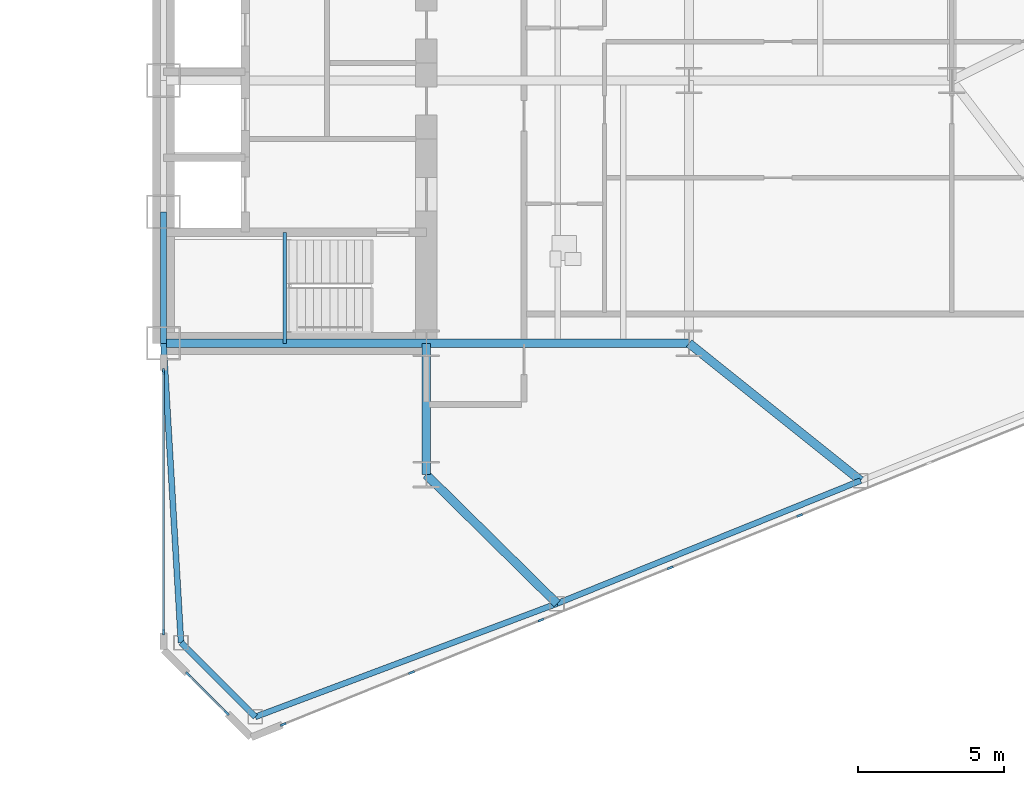
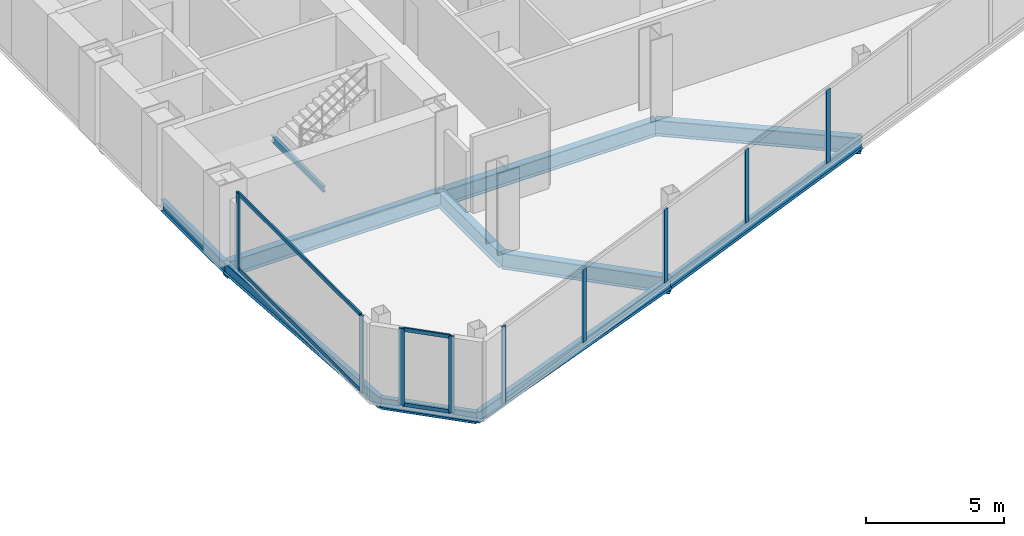
# One storey, part 9 of 25: 13 members, 11 beams, 3 elements without a shape of their own.
"""IFC4 building model written with IfcOpenShell, lengths in metres."""

import ifcopenshell
import ifcopenshell.guid

model = None  # the IFC model being written
_history = None  # IfcOwnerHistory: only IFC2X3 demands one
_inside = {}  # id of a spatial element -> (the spatial element, [elements in it])
_under = {}  # id of a project, library or spatial element -> (it, [spatial elements below it])
_declared = {}  # id of a project -> (the project, [libraries it declares])
_typed = {}  # id of a type object -> (the type object, [elements of that type])
_made_of = {}  # id of a material, layer set ... -> (it, [elements and type objects made of it])


def new_model(schema):
    """Start an empty IFC model of exactly this schema.

    Asked for "IFC4X3", IfcOpenShell would pick the latest addendum, in which some entities
    have other attributes; the version numbers below select the first issue.
    IFC2X3 requires an IfcOwnerHistory on every rooted entity: one is made here for all.
    """
    global model, _history
    if schema == "IFC4X3":
        model = ifcopenshell.file(schema_version=(4, 3, 0, 0))
    else:
        model = ifcopenshell.file(schema=schema)
    _inside.clear()
    _under.clear()
    _declared.clear()
    _typed.clear()
    _made_of.clear()
    _history = None
    if model.schema == "IFC2X3":
        org = make("IfcOrganization", Name="unknown")
        user = make(
            "IfcPersonAndOrganization",
            ThePerson=make("IfcPerson", FamilyName="unknown"),
            TheOrganization=org,
        )
        app = make(
            "IfcApplication",
            ApplicationDeveloper=org,
            Version="unknown",
            ApplicationFullName="unknown",
            ApplicationIdentifier="unknown",
        )
        _history = make(
            "IfcOwnerHistory",
            OwningUser=user,
            OwningApplication=app,
            ChangeAction="ADDED",
            CreationDate=0,
        )
    return model


def make(cls, **values):
    """One entity of the class cls with the attributes given. An attribute that is None is left unset."""
    return model.create_entity(
        cls, **{name: value for name, value in values.items() if value is not None}
    )


def rooted(cls, **values):
    """An entity with a GlobalId (a new one), such as an element, a storey or a relation."""
    return make(cls, GlobalId=ifcopenshell.guid.new(), OwnerHistory=_history, **values)


def si_unit(unit_type, name, prefix=None):
    """IfcSIUnit, for example si_unit("LENGTHUNIT", "METRE", prefix="MILLI")."""
    return make("IfcSIUnit", UnitType=unit_type, Prefix=prefix, Name=name)


def assignment(units):
    """IfcUnitAssignment: the units of a project."""
    return None if units is None else make("IfcUnitAssignment", Units=units)


def point(xyz):
    """IfcCartesianPoint."""
    return None if xyz is None else make("IfcCartesianPoint", Coordinates=xyz)


def direction(xyz):
    """IfcDirection."""
    return None if xyz is None else make("IfcDirection", DirectionRatios=xyz)


def frame(location, z_axis=None, x_axis=None):
    """IfcAxis2Placement3D, a coordinate frame: its origin and axes. An axis left out is left unset."""
    return make(
        "IfcAxis2Placement3D",
        Location=point(location),
        Axis=direction(z_axis),
        RefDirection=direction(x_axis),
    )


def frame_2d(location, x_axis=None):
    """IfcAxis2Placement2D, a coordinate frame in the plane: its origin and x axis."""
    return make(
        "IfcAxis2Placement2D", Location=point(location), RefDirection=direction(x_axis)
    )


def origin():
    """The frame at (0, 0, 0) with its axes left unset."""
    return frame((0.0, 0.0, 0.0))


def origin_2d():
    """The frame at (0, 0) in the plane with its x axis left unset."""
    return frame_2d((0.0, 0.0))


def place(relative_to, where):
    """IfcLocalPlacement: puts the frame where relative to a parent placement (None: the world)."""
    return make(
        "IfcLocalPlacement", PlacementRelTo=relative_to, RelativePlacement=where
    )


def context(
    kind, dimensions, precision=None, world=None, true_north=None, identifier=None
):
    """IfcGeometricRepresentationContext, for example the 3D "Model" context."""
    return make(
        "IfcGeometricRepresentationContext",
        ContextIdentifier=identifier,
        ContextType=kind,
        CoordinateSpaceDimension=dimensions,
        Precision=precision,
        WorldCoordinateSystem=world,
        TrueNorth=true_north,
    )


def subcontext(parent, identifier, kind, view, scale=None):
    """IfcGeometricRepresentationSubContext, for example "Body" below "Model"."""
    return make(
        "IfcGeometricRepresentationSubContext",
        ContextIdentifier=identifier,
        ContextType=kind,
        ParentContext=parent,
        TargetScale=scale,
        TargetView=view,
    )


def project(units=None, contexts=None):
    """IfcProject with its units and contexts."""
    return rooted(
        "IfcProject",
        Name="project",
        RepresentationContexts=contexts,
        UnitsInContext=assignment(units),
    )


def spatial(cls, under=None, at=None, **own):
    """A site, building, storey or space (cls), placed at a placement, below another one or the project."""
    s = rooted(cls, ObjectPlacement=at, **own)
    if under is not None:
        _under.setdefault(under.id(), (under, []))[1].append(s)
    return s


def profile(cls, at=None, kind="AREA", **sizes):
    """A parametric profile (cls). Its sizes go by their IFC names, for example OverallWidth=200.0."""
    return make(cls, ProfileType=kind, Position=at, **sizes)


def rectangle(**sizes):
    """IfcRectangleProfileDef."""
    return profile("IfcRectangleProfileDef", **sizes)


def i_section(**sizes):
    """IfcIShapeProfileDef."""
    return profile("IfcIShapeProfileDef", **sizes)


def extrude(swept, where, along, depth):
    """IfcExtrudedAreaSolid: the profile swept, set in the frame where, extruded along a direction by depth."""
    return make(
        "IfcExtrudedAreaSolid",
        SweptArea=swept,
        Position=where,
        ExtrudedDirection=direction(along),
        Depth=depth,
    )


def shape(context_of_items, identifier, shape_type, items):
    """IfcShapeRepresentation: the items that make up one representation, for example the "Body"."""
    return make(
        "IfcShapeRepresentation",
        ContextOfItems=context_of_items,
        RepresentationIdentifier=identifier,
        RepresentationType=shape_type,
        Items=items,
    )


def source(mapping_origin, context_of_items, identifier, shape_type, items):
    """IfcRepresentationMap: a shape defined once, which mapped items show again and again."""
    return make(
        "IfcRepresentationMap",
        MappingOrigin=mapping_origin,
        MappedRepresentation=shape(context_of_items, identifier, shape_type, items),
    )


def transform(
    local_origin,
    x_axis=None,
    y_axis=None,
    z_axis=None,
    scale=None,
    scale2=None,
    scale3=None,
    uniform=True,
):
    """IfcCartesianTransformationOperator3D, or its non-uniform kind. x_axis, y_axis, z_axis: its Axis1, 2, 3."""
    if uniform:
        return make(
            "IfcCartesianTransformationOperator3D",
            Axis1=direction(x_axis),
            Axis2=direction(y_axis),
            LocalOrigin=point(local_origin),
            Scale=scale,
            Axis3=direction(z_axis),
        )
    return make(
        "IfcCartesianTransformationOperator3DnonUniform",
        Axis1=direction(x_axis),
        Axis2=direction(y_axis),
        LocalOrigin=point(local_origin),
        Scale=scale,
        Axis3=direction(z_axis),
        Scale2=scale2,
        Scale3=scale3,
    )


def mapped(mapping_source, mapping_target):
    """IfcMappedItem: shows the shape of a source again, moved by a transform."""
    return make(
        "IfcMappedItem", MappingSource=mapping_source, MappingTarget=mapping_target
    )


def material(Name=None, Category=None):
    """IfcMaterial."""
    return make("IfcMaterial", Name=Name, Category=Category)


def layer(
    of_material, thickness, ventilated=None, Name=None, Category=None, Priority=None
):
    """IfcMaterialLayer: one layer of a wall or slab, of a material (None: an air gap)."""
    return make(
        "IfcMaterialLayer",
        Material=of_material,
        LayerThickness=thickness,
        IsVentilated=ventilated,
        Name=Name,
        Category=Category,
        Priority=Priority,
    )


def layer_set(layers, Name=None):
    """IfcMaterialLayerSet."""
    return make("IfcMaterialLayerSet", MaterialLayers=layers, LayerSetName=Name)


def material_profile(
    of_material, cross_section, Name=None, Category=None, Priority=None
):
    """IfcMaterialProfile: a cross section and its material."""
    return make(
        "IfcMaterialProfile",
        Name=Name,
        Material=of_material,
        Profile=cross_section,
        Priority=Priority,
        Category=Category,
    )


def profile_set(profiles, Name=None, composite=None):
    """IfcMaterialProfileSet."""
    return make(
        "IfcMaterialProfileSet",
        Name=Name,
        MaterialProfiles=profiles,
        CompositeProfile=composite,
    )


def made_of(thing, what):
    """Note that an element or type object is made of a material, layer set ...; save() writes the relation."""
    if what is not None:
        _made_of.setdefault(what.id(), (what, []))[1].append(thing)
    return thing


def type_object(cls, material=None, **own):
    """A type object (cls), such as IfcWallType, which elements share."""
    return made_of(rooted(cls, **own), material)


def type_shapes(of_type, sources):
    """Give a type object the sources (RepresentationMaps) that its elements show as mapped items."""
    of_type.RepresentationMaps = sources


def element(
    cls,
    number,
    at=None,
    inside=None,
    cuts=None,
    type_object=None,
    material=None,
    context=None,
    identifier="Body",
    shape_type=None,
    held_by="IfcProductDefinitionShape",
    body=None,
    shapes=None,
    **own,
):
    """One element of the class cls, such as IfcWall. Its Tag is "e" and its number.

    at: its placement. inside: the storey or other place that contains it. cuts: it is an
    opening in that element (IfcRelVoidsElement). A single representation is given by context,
    identifier, shape_type and body (its items); several are given by shapes. held_by: the class
    of the entity that holds the representations. save() writes the other relations.
    """
    e = rooted(cls, Tag="e%d" % number, ObjectPlacement=at, **own)
    if body is not None:
        shapes = [shape(context, identifier, shape_type, body)]
    if shapes is not None:
        e.Representation = make(held_by, Representations=shapes)
    if inside is not None:
        _inside.setdefault(inside.id(), (inside, []))[1].append(e)
    if cuts is not None:
        rooted(
            "IfcRelVoidsElement", RelatingBuildingElement=cuts, RelatedOpeningElement=e
        )
    if type_object is not None:
        _typed.setdefault(type_object.id(), (type_object, []))[1].append(e)
    return made_of(e, material)


def aggregate(whole, parts):
    """IfcRelAggregates: a whole, such as a stair, and the parts it consists of."""
    return rooted("IfcRelAggregates", RelatingObject=whole, RelatedObjects=parts)


def save(model, path):
    """Write the relations noted so far, then the file.

    IfcRelAggregates (storeys below a building ...), IfcRelContainedInSpatialStructure (elements
    in a storey), IfcRelDefinesByType, IfcRelAssociatesMaterial and IfcRelDeclares: one each for
    every whole, place, type object, material and project.
    """
    for whole, parts in _under.values():
        aggregate(whole, parts)
    for where, things in _inside.values():
        rooted(
            "IfcRelContainedInSpatialStructure",
            RelatedElements=things,
            RelatingStructure=where,
        )
    for kind, things in _typed.values():
        rooted("IfcRelDefinesByType", RelatedObjects=things, RelatingType=kind)
    for what, things in _made_of.values():
        rooted("IfcRelAssociatesMaterial", RelatedObjects=things, RelatingMaterial=what)
    for by, libraries in _declared.values():
        rooted("IfcRelDeclares", RelatingContext=by, RelatedDefinitions=libraries)
    model.write(path)


model = new_model("IFC4")

# Units and contexts
model_context = context("Model", 3, precision=1e-05, world=origin(), true_north=direction((0.0, 1.0)))
body_context = subcontext(model_context, "Body", "Model", "MODEL_VIEW")
ifc_project = project(units=[si_unit("LENGTHUNIT", "METRE"), si_unit("AREAUNIT", "SQUARE_METRE"), si_unit("VOLUMEUNIT", "CUBIC_METRE"), si_unit("PLANEANGLEUNIT", "RADIAN"), si_unit("MASSUNIT", "GRAM", prefix="KILO")], contexts=[model_context])

# Site, building, storey
site_placement = place(None, origin())
site = spatial("IfcSite", under=ifc_project, at=site_placement, CompositionType="ELEMENT")
building_placement = place(site_placement, origin())
building = spatial("IfcBuilding", under=site, at=building_placement, Name="Seokmaru Belvedere", CompositionType="ELEMENT")
storey_placement = place(building_placement, frame((0.0, 0.0, 51.300048828125)))
storey = spatial("IfcBuildingStorey", under=building, at=storey_placement, Name="L13", CompositionType="ELEMENT", Elevation=51.300048828125)

# Beams
ifc_material_1 = material(Name="Steel SM355 (355 MPa)", Category="steel")
ifc_material_profile_1 = material_profile(ifc_material_1, i_section(OverallWidth=0.199951171875, OverallDepth=0.5, WebThickness=0.010009765625, FlangeThickness=0.01611328125, at=origin_2d()), Name="H-500x200x10x16")
ifc_profile_set_1 = profile_set([ifc_material_profile_1], Name="Steel SM355 (355 MPa)")
beam_type_1 = type_object("IfcBeamType", Name="Perimeter Spandrel Beam H-500", PredefinedType="SPANDREL", material=ifc_profile_set_1)
shared_shape_1 = source(origin(), body_context, "Body", "SweptSolid", [
    extrude(i_section(OverallWidth=0.199951171875, OverallDepth=0.5, WebThickness=0.010009765625, FlangeThickness=0.01611328125, at=origin_2d()), origin(), (0.0, 0.0, 1.0), 4.5),
])
beam_1_placement = place(storey_placement, frame((27.5, -13.5, -0.469970703125), z_axis=(0.0, 1.0, 0.0), x_axis=(-1.0, 0.0, 0.0)))
element("IfcBeam", 1, at=beam_1_placement, inside=storey, type_object=beam_type_1, Name="L13 E Portal Spine Spandrel 1", PredefinedType="SPANDREL", context=body_context, shape_type="MappedRepresentation", body=[
    mapped(shared_shape_1, transform((0.0, 0.0, 0.0), scale=1.0)),
])
ifc_material_profile_2 = material_profile(ifc_material_1, i_section(OverallWidth=0.300048828125, OverallDepth=0.699951171875, WebThickness=0.012939453125, FlangeThickness=0.02392578125, at=origin_2d()), Name="H-700x300x13x24")
ifc_profile_set_2 = profile_set([ifc_material_profile_2], Name="Steel SM355 (355 MPa)")
beam_type_2 = type_object("IfcBeamType", Name="Primary Floor Girder H-700", PredefinedType="BEAM", material=ifc_profile_set_2)
shared_shape_2 = source(origin(), body_context, "Body", "SweptSolid", [
    extrude(i_section(OverallWidth=0.300048828125, OverallDepth=0.699951171875, WebThickness=0.012939453125, FlangeThickness=0.02392578125, at=origin_2d()), origin(), (0.0, 0.0, 1.0), 4.5),
])
beam_2_placement = place(storey_placement, frame((36.5, -18.0, -0.570068359375), z_axis=(0.0, 1.0, 0.0), x_axis=(-1.0, 0.0, 0.0)))
element("IfcBeam", 2, at=beam_2_placement, inside=storey, type_object=beam_type_2, Name="L13 E Core Shoulder Girder S", PredefinedType="BEAM", context=body_context, shape_type="MappedRepresentation", body=[
    mapped(shared_shape_2, transform((0.0, 0.0, 0.0), scale=1.0)),
])
shared_shape_3 = source(origin(), body_context, "Body", "SweptSolid", [
    extrude(i_section(OverallWidth=0.300048828125, OverallDepth=0.699951171875, WebThickness=0.012939453125, FlangeThickness=0.02392578125, at=origin_2d()), origin(), (0.0, 0.0, 1.0), 9.0),
])
for number, where, z_axis, x_axis, name in (
    (3, (27.5, -13.5, -0.570068359375), (1.0, 0.0, 0.0), (0.0, 1.0, 0.0), "L13 E Core Tie Girder 1"),
    (4, (36.5, -13.5, -0.570068359375), (1.0, 0.0, 0.0), (0.0, 1.0, 0.0), "L13 E Wing Primary Girder 1"),
):
    element("IfcBeam", number, at=place(storey_placement, frame(where, z_axis=z_axis, x_axis=x_axis)), inside=storey, type_object=beam_type_2, Name=name, PredefinedType="BEAM", context=body_context, shape_type="MappedRepresentation", body=[
        mapped(shared_shape_3, transform((0.0, 0.0, 0.0), scale=1.0)),
    ])
shared_shape_4 = source(origin(), body_context, "Body", "SweptSolid", [
    extrude(i_section(OverallWidth=0.199951171875, OverallDepth=0.5, WebThickness=0.010009765625, FlangeThickness=0.01611328125, at=origin_2d()), origin(), (0.0, 0.0, 1.0), 11.03857421875),
])
beam_3_placement = place(storey_placement, frame((30.643310546875, -26.294677734375, -0.469970703125), z_axis=(0.936169110734, 0.351549990907, 0.0), x_axis=(-0.351549990907, 0.936169110734, 0.0)))
element("IfcBeam", 5, at=beam_3_placement, inside=storey, type_object=beam_type_1, Name="L13 E Faceted Flank Spandrel S-1", PredefinedType="SPANDREL", context=body_context, shape_type="MappedRepresentation", body=[
    mapped(shared_shape_4, transform((0.0, 0.0, 0.0), scale=1.0)),
])
shared_shape_5 = source(origin(), body_context, "Body", "SweptSolid", [
    extrude(i_section(OverallWidth=0.199951171875, OverallDepth=0.5, WebThickness=0.010009765625, FlangeThickness=0.01611328125, at=origin_2d()), origin(), (0.0, 0.0, 1.0), 11.220703125),
])
beam_4_placement = place(storey_placement, frame((40.977294921875, -22.4140625, -0.469970703125), z_axis=(0.926944290816, 0.375198989503, 0.0), x_axis=(-0.375198989503, 0.926944290816, 0.0)))
element("IfcBeam", 6, at=beam_4_placement, inside=storey, type_object=beam_type_1, Name="L13 E Faceted Flank Spandrel S-2", PredefinedType="SPANDREL", context=body_context, shape_type="MappedRepresentation", body=[
    mapped(shared_shape_5, transform((0.0, 0.0, 0.0), scale=1.0)),
])
shared_shape_6 = source(origin(), body_context, "Body", "SweptSolid", [
    extrude(i_section(OverallWidth=0.199951171875, OverallDepth=0.5, WebThickness=0.010009765625, FlangeThickness=0.01611328125, at=origin_2d()), origin(), (0.0, 0.0, 1.0), 3.5966796875),
])
beam_5_placement = place(storey_placement, frame((30.643310546875, -26.294677734375, -0.469970703125), z_axis=(-0.707106781187, 0.707106781187, 0.0), x_axis=(-0.707106781187, -0.707106781187, 0.0)))
element("IfcBeam", 7, at=beam_5_placement, inside=storey, type_object=beam_type_1, Name="L13 E Shoulder Chamfer Spandrel S", PredefinedType="SPANDREL", context=body_context, shape_type="MappedRepresentation", body=[
    mapped(shared_shape_6, transform((0.0, 0.0, 0.0), scale=1.0)),
])
shared_shape_7 = source(origin(), body_context, "Body", "SweptSolid", [
    extrude(i_section(OverallWidth=0.199951171875, OverallDepth=0.5, WebThickness=0.010009765625, FlangeThickness=0.01611328125, at=origin_2d()), origin(), (0.0, 0.0, 1.0), 10.26904296875),
])
type_shapes(beam_type_1, [shared_shape_1, shared_shape_4, shared_shape_5, shared_shape_6, shared_shape_7])
beam_6_placement = place(storey_placement, frame((28.10009765625, -23.75146484375, -0.469970703125), z_axis=(-0.058437709399, 0.998291056817, 0.0), x_axis=(-0.998291056817, -0.058437709399, 0.0)))
element("IfcBeam", 8, at=beam_6_placement, inside=storey, type_object=beam_type_1, Name="L13 E Shoulder Spine Spandrel S", PredefinedType="SPANDREL", context=body_context, shape_type="MappedRepresentation", body=[
    mapped(shared_shape_7, transform((0.0, 0.0, 0.0), scale=1.0)),
])
shared_shape_8 = source(origin(), body_context, "Body", "SweptSolid", [
    extrude(i_section(OverallWidth=0.300048828125, OverallDepth=0.699951171875, WebThickness=0.012939453125, FlangeThickness=0.02392578125, at=origin_2d()), origin(), (0.0, 0.0, 1.0), 6.287353515625),
])
beam_7_placement = place(storey_placement, frame((40.977294921875, -22.4140625, -0.570068359375), z_axis=(-0.712117485263, 0.702060315915, 0.0), x_axis=(-0.702060315915, -0.712117485263, 0.0)))
element("IfcBeam", 9, at=beam_7_placement, inside=storey, type_object=beam_type_2, Name="L13 E Flank Radial Floor Girder S-1", PredefinedType="BEAM", context=body_context, shape_type="MappedRepresentation", body=[
    mapped(shared_shape_8, transform((0.0, 0.0, 0.0), scale=1.0)),
])
shared_shape_9 = source(origin(), body_context, "Body", "SweptSolid", [
    extrude(i_section(OverallWidth=0.300048828125, OverallDepth=0.699951171875, WebThickness=0.012939453125, FlangeThickness=0.02392578125, at=origin_2d()), origin(), (0.0, 0.0, 1.0), 7.52880859375),
])
type_shapes(beam_type_2, [shared_shape_2, shared_shape_3, shared_shape_8, shared_shape_9])
beam_8_placement = place(storey_placement, frame((51.378173828125, -18.2041015625, -0.570068359375), z_axis=(-0.780767560736, 0.624821587418, 0.0), x_axis=(-0.624821587418, -0.780767560736, 0.0)))
element("IfcBeam", 10, at=beam_8_placement, inside=storey, type_object=beam_type_2, Name="L13 E Flank Radial Floor Girder S-2", PredefinedType="BEAM", context=body_context, shape_type="MappedRepresentation", body=[
    mapped(shared_shape_9, transform((0.0, 0.0, 0.0), scale=1.0)),
])

# Curtain wall, members
ifc_material_2 = material(Name="Bronze Triple Insulating Glass", Category="glass")
ifc_layer = layer(ifc_material_2, 0.2099609375)
ifc_layer_set = layer_set([ifc_layer], Name="Bronze Triple Insulating Glass")
curtain_wall_type = type_object("IfcCurtainWallType", Name="Low-Rise Faceted Crystal Curtain Wall System CW-2", PredefinedType="NOTDEFINED", material=ifc_layer_set)
curtain_wall_1_placement = place(storey_placement, origin())
curtain_wall_1 = element("IfcCurtainWall", 11, at=curtain_wall_1_placement, inside=storey, type_object=curtain_wall_type, Name="L13 Curtain Wall ESP_1", PredefinedType="NOTDEFINED")
ifc_material_3 = material(Name="Anodised Bronze Aluminium", Category="aluminium")
ifc_material_profile_3 = material_profile(ifc_material_3, rectangle(XDim=0.070068359375, YDim=0.1650390625, at=origin_2d()), Name="CW-T-70x165")
ifc_profile_set_3 = profile_set([ifc_material_profile_3], Name="Anodised Bronze Aluminium")
member_type_1 = type_object("IfcMemberType", Name="Bronze Unitised Transom 70x165", PredefinedType="USERDEFINED", material=ifc_profile_set_3)
shared_shape_10 = source(origin(), body_context, "Body", "SweptSolid", [
    extrude(rectangle(XDim=0.070068359375, YDim=0.1650390625, at=origin_2d()), origin(), (0.0, 0.0, 1.0), 8.85009765625),
])
member_1_placement = place(storey_placement, frame((27.5, -14.5048828125, 0.034912109375), z_axis=(0.0, -1.0, 0.0), x_axis=(1.0, 0.0, 0.0)))
member_1 = element("IfcMember", 12, at=member_1_placement, type_object=member_type_1, Name="CW:L13:ESP_1 Continuous Transom 1", ObjectType="TRANSOM", PredefinedType="USERDEFINED", context=body_context, shape_type="MappedRepresentation", body=[
    mapped(shared_shape_10, transform((0.0, 0.0, 0.0), scale=1.0)),
])
member_2_placement = place(storey_placement, frame((27.5, -14.5048828125, 3.344970703125), z_axis=(0.0, -1.0, 0.0), x_axis=(1.0, 0.0, 0.0)))
member_2 = element("IfcMember", 13, at=member_2_placement, type_object=member_type_1, Name="CW:L13:ESP_1 Continuous Transom 2", ObjectType="TRANSOM", PredefinedType="USERDEFINED", context=body_context, shape_type="MappedRepresentation", body=[
    mapped(shared_shape_10, transform((0.0, 0.0, 0.0), scale=1.0)),
])

curtain_wall_2_placement = place(storey_placement, origin())
curtain_wall_2 = element("IfcCurtainWall", 14, at=curtain_wall_2_placement, inside=storey, type_object=curtain_wall_type, Name="L13 Curtain Wall EF6", PredefinedType="NOTDEFINED")
shared_shape_11 = source(origin(), body_context, "Body", "SweptSolid", [
    extrude(rectangle(XDim=0.070068359375, YDim=0.1650390625, at=origin_2d()), origin(), (0.0, 0.0, 1.0), 1.792724609375),
])
type_shapes(member_type_1, [shared_shape_10, shared_shape_11])
member_3_placement = place(storey_placement, frame((28.3662109375, -24.8662109375, 0.034912109375), z_axis=(0.707106781187, -0.707106781187, 0.0), x_axis=(0.707106781187, 0.707106781187, 0.0)))
member_3 = element("IfcMember", 15, at=member_3_placement, type_object=member_type_1, Name="CW:L13:EF6 Continuous Transom 1", ObjectType="TRANSOM", PredefinedType="USERDEFINED", context=body_context, shape_type="MappedRepresentation", body=[
    mapped(shared_shape_11, transform((0.0, 0.0, 0.0), scale=1.0)),
])
member_4_placement = place(storey_placement, frame((28.3662109375, -24.8662109375, 3.344970703125), z_axis=(0.707106781187, -0.707106781187, 0.0), x_axis=(0.707106781187, 0.707106781187, 0.0)))
member_4 = element("IfcMember", 16, at=member_4_placement, type_object=member_type_1, Name="CW:L13:EF6 Continuous Transom 2", ObjectType="TRANSOM", PredefinedType="USERDEFINED", context=body_context, shape_type="MappedRepresentation", body=[
    mapped(shared_shape_11, transform((0.0, 0.0, 0.0), scale=1.0)),
])

curtain_wall_3_placement = place(storey_placement, origin())
curtain_wall_3 = element("IfcCurtainWall", 17, at=curtain_wall_3_placement, inside=storey, type_object=curtain_wall_type, Name="L13 Curtain Wall EF1", PredefinedType="NOTDEFINED")
ifc_material_profile_4 = material_profile(ifc_material_3, rectangle(XDim=0.074951171875, YDim=0.2099609375, at=origin_2d()), Name="CW-M-75x210")
ifc_profile_set_4 = profile_set([ifc_material_profile_4], Name="Anodised Bronze Aluminium")
member_type_2 = type_object("IfcMemberType", Name="Bronze Unitised Mullion 75x210", PredefinedType="MULLION", material=ifc_profile_set_4)
shared_shape_12 = source(origin(), body_context, "Body", "SweptSolid", [
    extrude(rectangle(XDim=0.074951171875, YDim=0.2099609375, at=origin_2d()), origin(), (0.0, 0.0, 1.0), 3.239990234375),
])
member_5_placement = place(storey_placement, frame((35.995849609375, -24.775390625, 0.070068359375), z_axis=(0.0, 0.0, 1.0), x_axis=(-0.375192321888, 0.926946989637, 0.0)))
member_5 = element("IfcMember", 18, at=member_5_placement, type_object=member_type_2, Name="CW:L13:EF1 Mullion 2", PredefinedType="MULLION", context=body_context, shape_type="MappedRepresentation", body=[
    mapped(shared_shape_12, transform((0.0, 0.0, 0.0), scale=1.0)),
])
member_6_placement = place(storey_placement, frame((40.425537109375, -22.982421875, 0.070068359375), z_axis=(0.0, 0.0, 1.0), x_axis=(-0.375192321888, 0.926946989637, 0.0)))
member_6 = element("IfcMember", 19, at=member_6_placement, type_object=member_type_2, Name="CW:L13:EF1 Mullion 3", PredefinedType="MULLION", context=body_context, shape_type="MappedRepresentation", body=[
    mapped(shared_shape_12, transform((0.0, 0.0, 0.0), scale=1.0)),
])
member_7_placement = place(storey_placement, frame((44.855224609375, -21.189453125, 0.070068359375), z_axis=(0.0, 0.0, 1.0), x_axis=(-0.375192321888, 0.926946989637, 0.0)))
member_7 = element("IfcMember", 20, at=member_7_placement, type_object=member_type_2, Name="CW:L13:EF1 Mullion 4", PredefinedType="MULLION", context=body_context, shape_type="MappedRepresentation", body=[
    mapped(shared_shape_12, transform((0.0, 0.0, 0.0), scale=1.0)),
])
member_8_placement = place(storey_placement, frame((49.28515625, -19.396484375, 0.070068359375), z_axis=(0.0, 0.0, 1.0), x_axis=(-0.375192321888, 0.926946989637, 0.0)))
member_8 = element("IfcMember", 21, at=member_8_placement, type_object=member_type_2, Name="CW:L13:EF1 Mullion 5", PredefinedType="MULLION", context=body_context, shape_type="MappedRepresentation", body=[
    mapped(shared_shape_12, transform((0.0, 0.0, 0.0), scale=1.0)),
])
shared_shape_13 = source(origin(), body_context, "Body", "SweptSolid", [
    extrude(rectangle(XDim=0.074951171875, YDim=0.2099609375, at=origin_2d()), origin(), (0.0, 0.0, 1.0), 3.3798828125),
])
type_shapes(member_type_2, [shared_shape_12, shared_shape_13])
member_9_placement = place(storey_placement, frame((31.600830078125, -26.554443359375, 0.0), z_axis=(0.0, 0.0, 1.0), x_axis=(-0.375192321888, 0.926946989637, 0.0)))
member_9 = element("IfcMember", 22, at=member_9_placement, type_object=member_type_2, Name="CW:L13:EF1 Mullion 1", PredefinedType="MULLION", context=body_context, shape_type="MappedRepresentation", body=[
    mapped(shared_shape_13, transform((0.0, 0.0, 0.0), scale=1.0)),
])
aggregate(curtain_wall_3, [member_9, member_5, member_6, member_7, member_8])

# Member
member_10_placement = place(storey_placement, frame((27.5, -14.467529296875, 0.0), z_axis=(0.0, 0.0, 1.0), x_axis=(1.0, 0.0, 0.0)))
member_10 = element("IfcMember", 23, at=member_10_placement, type_object=member_type_2, Name="CW:L13:ESP_1 Mullion 1", PredefinedType="MULLION", context=body_context, shape_type="MappedRepresentation", body=[
    mapped(shared_shape_13, transform((0.0, 0.0, 0.0), scale=1.0)),
])

member_11_placement = place(storey_placement, frame((27.5, -23.392578125, 0.0), z_axis=(0.0, 0.0, 1.0), x_axis=(1.0, 0.0, 0.0)))
member_11 = element("IfcMember", 24, at=member_11_placement, type_object=member_type_2, Name="CW:L13:ESP_1 Mullion 2", PredefinedType="MULLION", context=body_context, shape_type="MappedRepresentation", body=[
    mapped(shared_shape_13, transform((0.0, 0.0, 0.0), scale=1.0)),
])

aggregate(curtain_wall_1, [member_10, member_11, member_1, member_2])

member_12_placement = place(storey_placement, frame((28.339599609375, -24.839599609375, 0.0), z_axis=(0.0, 0.0, 1.0), x_axis=(0.707106781187, 0.707106781187, 0.0)))
member_12 = element("IfcMember", 25, at=member_12_placement, type_object=member_type_2, Name="CW:L13:EF6 Mullion 1", PredefinedType="MULLION", context=body_context, shape_type="MappedRepresentation", body=[
    mapped(shared_shape_13, transform((0.0, 0.0, 0.0), scale=1.0)),
])

member_13_placement = place(storey_placement, frame((29.660400390625, -26.160400390625, 0.0), z_axis=(0.0, 0.0, 1.0), x_axis=(0.707106781187, 0.707106781187, 0.0)))
member_13 = element("IfcMember", 26, at=member_13_placement, type_object=member_type_2, Name="CW:L13:EF6 Mullion 2", PredefinedType="MULLION", context=body_context, shape_type="MappedRepresentation", body=[
    mapped(shared_shape_13, transform((0.0, 0.0, 0.0), scale=1.0)),
])

aggregate(curtain_wall_2, [member_12, member_13, member_3, member_4])

# Beam
ifc_material_profile_5 = material_profile(ifc_material_1, i_section(OverallWidth=0.125, OverallDepth=0.25, WebThickness=0.006103515625, FlangeThickness=0.009033203125, at=origin_2d()), Name="H-250x125x6x9")
ifc_profile_set_5 = profile_set([ifc_material_profile_5], Name="Steel SM355 (355 MPa)")
beam_type_3 = type_object("IfcBeamType", Name="Stair Mid-Landing Support Beam H-250", PredefinedType="JOIST", material=ifc_profile_set_5)
shared_shape_14 = source(origin(), body_context, "Body", "SweptSolid", [
    extrude(i_section(OverallWidth=0.125, OverallDepth=0.25, WebThickness=0.006103515625, FlangeThickness=0.009033203125, at=origin_2d()), origin(), (0.0, 0.0, 1.0), 3.800048828125),
])
type_shapes(beam_type_3, [shared_shape_14])
beam_9_placement = place(storey_placement, frame((31.64990234375, -13.5, 1.474853515625), z_axis=(0.0, 1.0, 0.0), x_axis=(-1.0, 0.0, 0.0)))
element("IfcBeam", 27, at=beam_9_placement, inside=storey, type_object=beam_type_3, Name="L13 Stair ST-E1 Mid-Landing Support Beam 1", PredefinedType="JOIST", context=body_context, shape_type="MappedRepresentation", body=[
    mapped(shared_shape_14, transform((0.0, 0.0, 0.0), scale=1.0)),
])

save(model, "model.ifc")
